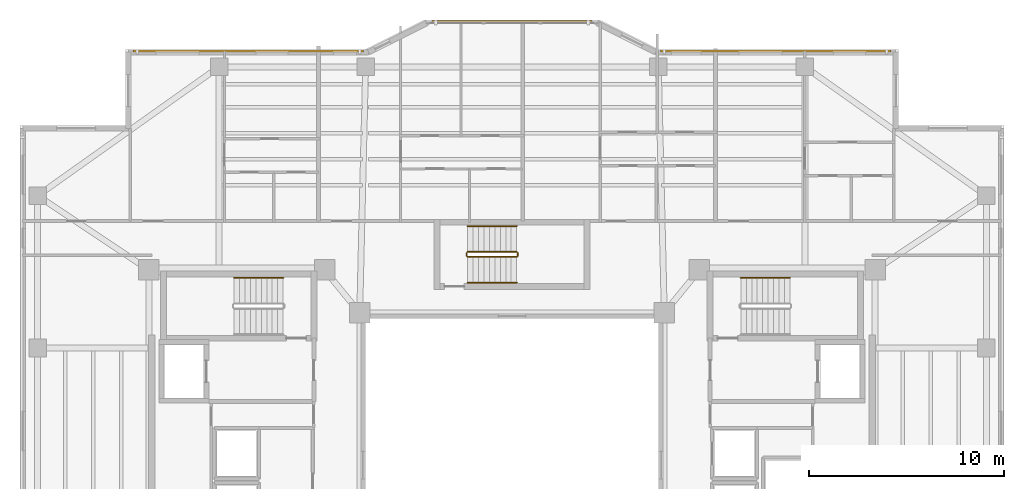
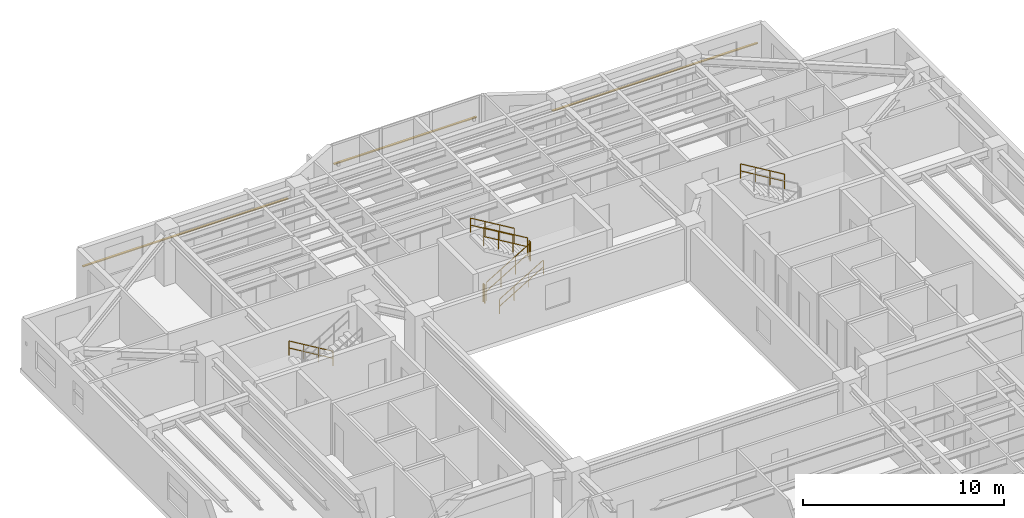
# One storey, part 16 of 16: 8 railings, 3 shading devices.
"""IFC4 building model written with IfcOpenShell, lengths in metres."""

from ifc_helpers import new_model, si_unit, direction, frame, origin, origin_2d, place, context, subcontext, project, spatial, rectangle, circle, extrude, material, material_profile, profile_set, type_object, element, save


model = new_model("IFC4")

# Units and contexts
model_context = context("Model", 3, precision=1e-05, world=origin(), true_north=direction((0.0, 1.0)))
body_context = subcontext(model_context, "Body", "Model", "MODEL_VIEW")
ifc_project = project(units=[si_unit("LENGTHUNIT", "METRE"), si_unit("AREAUNIT", "SQUARE_METRE"), si_unit("VOLUMEUNIT", "CUBIC_METRE"), si_unit("PLANEANGLEUNIT", "RADIAN"), si_unit("MASSUNIT", "GRAM", prefix="KILO")], contexts=[model_context])

# Site, building, storey
site_placement = place(None, origin())
site = spatial("IfcSite", under=ifc_project, at=site_placement, CompositionType="ELEMENT")
building_placement = place(site_placement, origin())
building = spatial("IfcBuilding", under=site, at=building_placement, Name="Tarnavaz Court Tower", CompositionType="ELEMENT")
storey_placement = place(building_placement, frame((0.0, 0.0, 152.699951171875)))
storey = spatial("IfcBuildingStorey", under=building, at=storey_placement, Name="L41", CompositionType="ELEMENT", Elevation=152.699951171875)

# Railings
ifc_material_1 = material(Name="Brushed Stainless Steel", Category="steel")
railing_type_1 = type_object("IfcRailingType", Name="RL-HANDRAIL-900", PredefinedType="HANDRAIL", material=ifc_material_1)
for number, where, name in (
    (1, (-11.719970703125, 9.590087890625, 0.16748046875), "L41 ST-W1 stair handrail 1"),
    (2, (14.239990234375, 9.590087890625, 1.842529296875), "L41 ST-E1 stair handrail 2"),
):
    element("IfcRailing", number, at=place(storey_placement, frame(where)), inside=storey, type_object=railing_type_1, Name=name, PredefinedType="HANDRAIL", context=body_context, shape_type="SweptSolid", body=[
        extrude(circle(Radius=0.02392578125, at=origin_2d()), frame((0.0, 0.0, 0.8759765625), z_axis=(-0.858159760407, 0.0, 0.513382728203), x_axis=(0.0, -1.0, 0.0)), (0.0, 0.0, 1.0), 2.9365234375),
        extrude(circle(Radius=0.02392578125, at=origin_2d()), frame((0.0, 0.0, 0.449951171875), z_axis=(-0.858159760407, 0.0, 0.513382728203), x_axis=(0.0, -1.0, 0.0)), (0.0, 0.0, 1.0), 2.9365234375),
        extrude(circle(Radius=0.02099609375, at=origin_2d()), origin(), (0.0, 0.0, 1.0), 0.851806640625),
        extrude(circle(Radius=0.02099609375, at=origin_2d()), frame((-0.840087890625, 0.0, 0.50244140625)), (0.0, 0.0, 1.0), 0.851806640625),
        extrude(circle(Radius=0.02099609375, at=origin_2d()), frame((-1.679931640625, 0.0, 1.005126953125)), (0.0, 0.0, 1.0), 0.851806640625),
        extrude(circle(Radius=0.02099609375, at=origin_2d()), frame((-2.52001953125, 0.0, 1.507568359375)), (0.0, 0.0, 1.0), 0.851806640625),
    ])
railing_1_placement = place(storey_placement, frame((-2.280029296875, 9.35009765625, 0.16748046875)))
element("IfcRailing", 3, at=railing_1_placement, inside=storey, type_object=railing_type_1, Name="L41 ST-N1 stair handrail 1", PredefinedType="HANDRAIL", context=body_context, shape_type="SweptSolid", body=[
    extrude(circle(Radius=0.02392578125, at=origin_2d()), frame((0.0, 0.0, 0.8759765625), z_axis=(0.858159760407, 0.0, 0.513382728203), x_axis=(0.0, 1.0, 0.0)), (0.0, 0.0, 1.0), 2.9365234375),
    extrude(circle(Radius=0.02392578125, at=origin_2d()), frame((0.0, 0.0, 0.449951171875), z_axis=(0.858159760407, 0.0, 0.513382728203), x_axis=(0.0, 1.0, 0.0)), (0.0, 0.0, 1.0), 2.9365234375),
    extrude(circle(Radius=0.02099609375, at=origin_2d()), origin(), (0.0, 0.0, 1.0), 0.851806640625),
    extrude(circle(Radius=0.02099609375, at=origin_2d()), frame((0.840087890625, 0.0, 0.50244140625)), (0.0, 0.0, 1.0), 0.851806640625),
    extrude(circle(Radius=0.02099609375, at=origin_2d()), frame((1.679931640625, 0.0, 1.005126953125)), (0.0, 0.0, 1.0), 0.851806640625),
    extrude(circle(Radius=0.02099609375, at=origin_2d()), frame((2.52001953125, 0.0, 1.507568359375)), (0.0, 0.0, 1.0), 0.851806640625),
])
railing_2_placement = place(storey_placement, frame((0.239990234375, 12.239990234375, 1.842529296875)))
element("IfcRailing", 4, at=railing_2_placement, inside=storey, type_object=railing_type_1, Name="L41 ST-N1 stair handrail 2", PredefinedType="HANDRAIL", context=body_context, shape_type="SweptSolid", body=[
    extrude(circle(Radius=0.02392578125, at=origin_2d()), frame((0.0, 0.0, 0.8759765625), z_axis=(-0.858159760407, 0.0, 0.513382728203), x_axis=(0.0, -1.0, 0.0)), (0.0, 0.0, 1.0), 2.9365234375),
    extrude(circle(Radius=0.02392578125, at=origin_2d()), frame((0.0, 0.0, 0.449951171875), z_axis=(-0.858159760407, 0.0, 0.513382728203), x_axis=(0.0, -1.0, 0.0)), (0.0, 0.0, 1.0), 2.9365234375),
    extrude(circle(Radius=0.02099609375, at=origin_2d()), origin(), (0.0, 0.0, 1.0), 0.851806640625),
    extrude(circle(Radius=0.02099609375, at=origin_2d()), frame((-0.840087890625, 0.0, 0.50244140625)), (0.0, 0.0, 1.0), 0.851806640625),
    extrude(circle(Radius=0.02099609375, at=origin_2d()), frame((-1.679931640625, 0.0, 1.005126953125)), (0.0, 0.0, 1.0), 0.851806640625),
    extrude(circle(Radius=0.02099609375, at=origin_2d()), frame((-2.52001953125, 0.0, 1.507568359375)), (0.0, 0.0, 1.0), 0.851806640625),
])
ifc_material_2 = material(Name="Galvanized Painted Tubular Steel", Category="steel")
railing_type_2 = type_object("IfcRailingType", Name="RL-STGUARD-1120", PredefinedType="GUARDRAIL", material=ifc_material_2)
railing_3_placement = place(storey_placement, frame((-2.280029296875, 10.669921875, 0.16748046875)))
element("IfcRailing", 5, at=railing_3_placement, inside=storey, type_object=railing_type_2, Name="L41 ST-N1 stair guard 1", PredefinedType="GUARDRAIL", context=body_context, shape_type="SweptSolid", body=[
    extrude(circle(Radius=0.02392578125, at=origin_2d()), frame((0.0, 0.0, 1.09619140625), z_axis=(0.858159760407, 0.0, 0.513382728203), x_axis=(0.0, 1.0, 0.0)), (0.0, 0.0, 1.0), 2.9365234375),
    extrude(circle(Radius=0.02392578125, at=origin_2d()), frame((0.0, 0.0, 0.56005859375), z_axis=(0.858159760407, 0.0, 0.513382728203), x_axis=(0.0, 1.0, 0.0)), (0.0, 0.0, 1.0), 2.9365234375),
    extrude(circle(Radius=0.02099609375, at=origin_2d()), origin(), (0.0, 0.0, 1.0), 1.072021484375),
    extrude(circle(Radius=0.02099609375, at=origin_2d()), frame((0.840087890625, 0.0, 0.50244140625)), (0.0, 0.0, 1.0), 1.072021484375),
    extrude(circle(Radius=0.02099609375, at=origin_2d()), frame((1.679931640625, 0.0, 1.005126953125)), (0.0, 0.0, 1.0), 1.072021484375),
    extrude(circle(Radius=0.02099609375, at=origin_2d()), frame((2.52001953125, 0.0, 1.507568359375)), (0.0, 0.0, 1.0), 1.072021484375),
])
railing_4_placement = place(storey_placement, frame((0.2900390625, 10.719970703125, 1.675048828125)))
element("IfcRailing", 6, at=railing_4_placement, inside=storey, type_object=railing_type_2, Name="L41 ST-N1 stair guard 2", PredefinedType="GUARDRAIL", context=body_context, shape_type="SweptSolid", body=[
    extrude(circle(Radius=0.02392578125, at=origin_2d()), frame((0.0, 0.0, 1.09619140625), z_axis=(0.0, 1.0, 0.0), x_axis=(-1.0, 0.0, 0.0)), (0.0, 0.0, 1.0), 0.150146484375),
    extrude(circle(Radius=0.02392578125, at=origin_2d()), frame((0.0, 0.0, 0.56005859375), z_axis=(0.0, 1.0, 0.0), x_axis=(-1.0, 0.0, 0.0)), (0.0, 0.0, 1.0), 0.150146484375),
    extrude(circle(Radius=0.02099609375, at=origin_2d()), origin(), (0.0, 0.0, 1.0), 1.072021484375),
    extrude(circle(Radius=0.02099609375, at=origin_2d()), frame((0.0, 0.150146484375, 0.0)), (0.0, 0.0, 1.0), 1.072021484375),
])
railing_5_placement = place(storey_placement, frame((0.239990234375, 10.919921875, 1.842529296875)))
element("IfcRailing", 7, at=railing_5_placement, inside=storey, type_object=railing_type_2, Name="L41 ST-N1 stair guard 3", PredefinedType="GUARDRAIL", context=body_context, shape_type="SweptSolid", body=[
    extrude(circle(Radius=0.02392578125, at=origin_2d()), frame((0.0, 0.0, 1.09619140625), z_axis=(-0.858159760407, 0.0, 0.513382728203), x_axis=(0.0, -1.0, 0.0)), (0.0, 0.0, 1.0), 2.9365234375),
    extrude(circle(Radius=0.02392578125, at=origin_2d()), frame((0.0, 0.0, 0.56005859375), z_axis=(-0.858159760407, 0.0, 0.513382728203), x_axis=(0.0, -1.0, 0.0)), (0.0, 0.0, 1.0), 2.9365234375),
    extrude(circle(Radius=0.02099609375, at=origin_2d()), origin(), (0.0, 0.0, 1.0), 1.072021484375),
    extrude(circle(Radius=0.02099609375, at=origin_2d()), frame((-0.840087890625, 0.0, 0.50244140625)), (0.0, 0.0, 1.0), 1.072021484375),
    extrude(circle(Radius=0.02099609375, at=origin_2d()), frame((-1.679931640625, 0.0, 1.005126953125)), (0.0, 0.0, 1.0), 1.072021484375),
    extrude(circle(Radius=0.02099609375, at=origin_2d()), frame((-2.52001953125, 0.0, 1.507568359375)), (0.0, 0.0, 1.0), 1.072021484375),
])
railing_6_placement = place(storey_placement, frame((-2.330078125, 10.719970703125, 0.0)))
element("IfcRailing", 8, at=railing_6_placement, inside=storey, type_object=railing_type_2, Name="L41 ST-N1 stair guard 4", PredefinedType="GUARDRAIL", context=body_context, shape_type="SweptSolid", body=[
    extrude(circle(Radius=0.02392578125, at=origin_2d()), frame((0.0, 0.0, 1.09619140625), z_axis=(0.0, 1.0, 0.0), x_axis=(-1.0, 0.0, 0.0)), (0.0, 0.0, 1.0), 0.150146484375),
    extrude(circle(Radius=0.02392578125, at=origin_2d()), frame((0.0, 0.0, 0.56005859375), z_axis=(0.0, 1.0, 0.0), x_axis=(-1.0, 0.0, 0.0)), (0.0, 0.0, 1.0), 0.150146484375),
    extrude(circle(Radius=0.02099609375, at=origin_2d()), origin(), (0.0, 0.0, 1.0), 1.072021484375),
    extrude(circle(Radius=0.02099609375, at=origin_2d()), frame((0.0, 0.150146484375, 0.0)), (0.0, 0.0, 1.0), 1.072021484375),
])

# Shading devices
ifc_material_3 = material(Name="Kiln-Fired Khorasan Terracotta Ceramic", Category="masonry")
ifc_material_profile = material_profile(ifc_material_3, rectangle(XDim=0.1201171875, YDim=0.06005859375, at=origin_2d()), Name="TC BAGUETTE 120X60")
ifc_profile_set = profile_set([ifc_material_profile], Name="Kiln-Fired Khorasan Terracotta Ceramic")
shading_device_type = type_object("IfcShadingDeviceType", Name="SD-BAG-120", PredefinedType="USERDEFINED", material=ifc_profile_set)
shading_device_1_placement = place(storey_placement, frame((-19.39990234375, 21.2099609375, 1.85009765625), z_axis=(1.0, 0.0, 0.0), x_axis=(0.0, 1.0, 0.0)))
element("IfcShadingDevice", 9, at=shading_device_1_placement, inside=storey, type_object=shading_device_type, Name="L41 Terracotta Baguette Screen FBG05", ObjectType="BAGUETTE", PredefinedType="USERDEFINED", context=body_context, shape_type="SweptSolid", body=[
    extrude(rectangle(XDim=0.1201171875, YDim=0.06005859375, at=origin_2d()), origin(), (0.0, 0.0, 1.0), 11.7998046875),
])
shading_device_2_placement = place(storey_placement, frame((-4.10009765625, 22.7099609375, 1.800048828125), z_axis=(1.0, 0.0, 0.0), x_axis=(0.0, 1.0, 0.0)))
element("IfcShadingDevice", 10, at=shading_device_2_placement, inside=storey, type_object=shading_device_type, Name="L41 Terracotta Baguette Screen PBG7", ObjectType="BAGUETTE", PredefinedType="USERDEFINED", context=body_context, shape_type="SweptSolid", body=[
    extrude(rectangle(XDim=0.1201171875, YDim=0.06005859375, at=origin_2d()), origin(), (0.0, 0.0, 1.0), 8.2001953125),
])
shading_device_3_placement = place(storey_placement, frame((7.60009765625, 21.2099609375, 1.85009765625), z_axis=(1.0, 0.0, 0.0), x_axis=(0.0, 1.0, 0.0)))
element("IfcShadingDevice", 11, at=shading_device_3_placement, inside=storey, type_object=shading_device_type, Name="L41 Terracotta Baguette Screen FBG09", ObjectType="BAGUETTE", PredefinedType="USERDEFINED", context=body_context, shape_type="SweptSolid", body=[
    extrude(rectangle(XDim=0.1201171875, YDim=0.06005859375, at=origin_2d()), origin(), (0.0, 0.0, 1.0), 11.7998046875),
])

save(model, "model.ifc")
